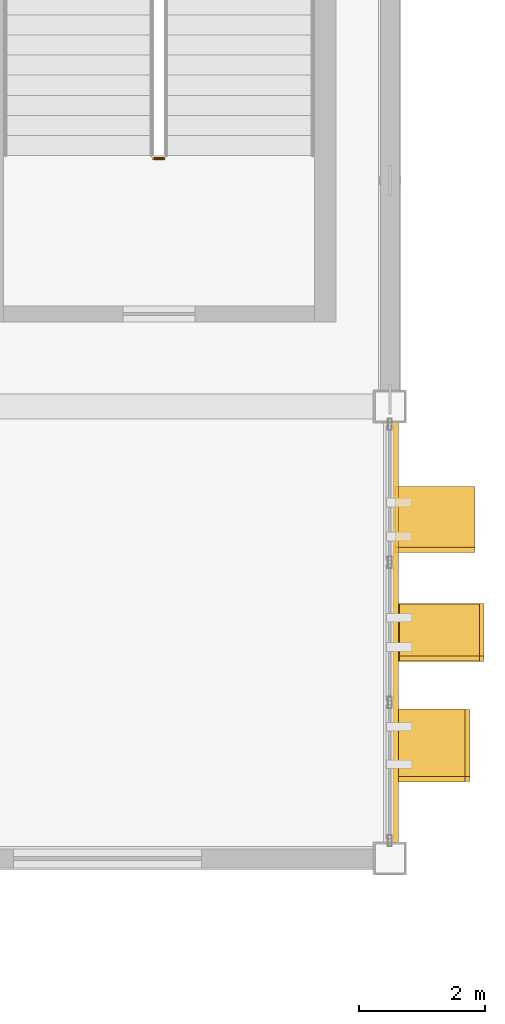
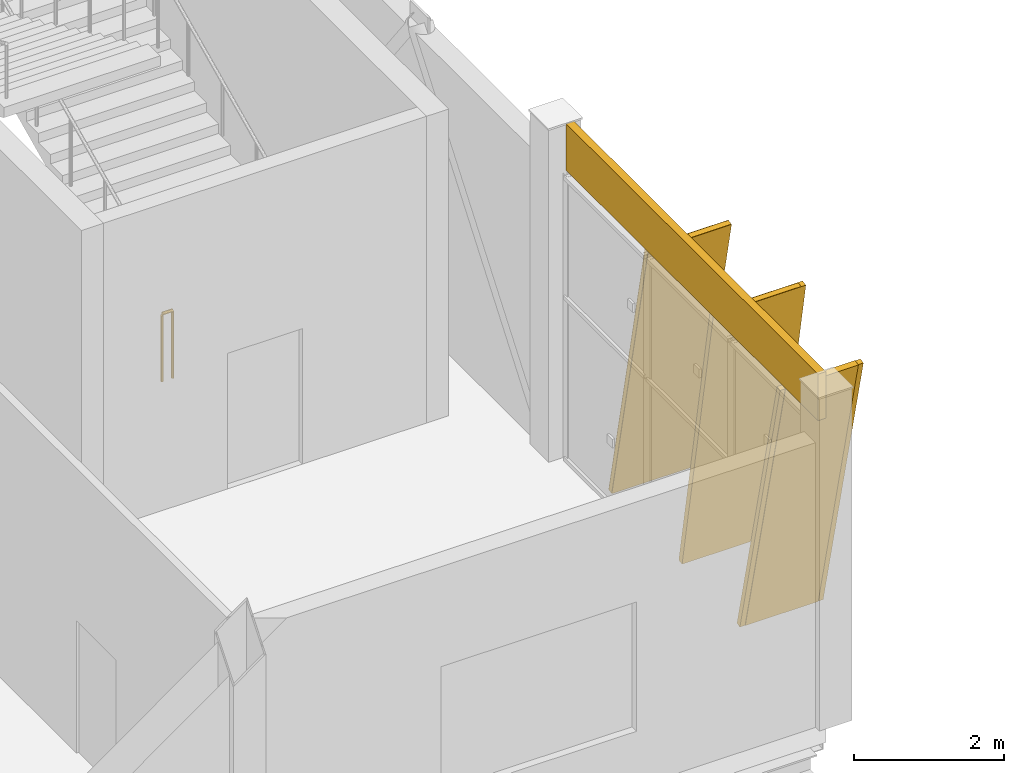
# One storey, part 176 of 189: 4 coverings, 3 shading devices, 1 railing.
"""IFC4 building model written with IfcOpenShell, lengths in metres."""

import ifcopenshell
import ifcopenshell.guid

model = None  # the IFC model being written
_history = None  # IfcOwnerHistory: only IFC2X3 demands one
_inside = {}  # id of a spatial element -> (the spatial element, [elements in it])
_under = {}  # id of a project, library or spatial element -> (it, [spatial elements below it])
_declared = {}  # id of a project -> (the project, [libraries it declares])
_typed = {}  # id of a type object -> (the type object, [elements of that type])
_made_of = {}  # id of a material, layer set ... -> (it, [elements and type objects made of it])


def new_model(schema):
    """Start an empty IFC model of exactly this schema.

    Asked for "IFC4X3", IfcOpenShell would pick the latest addendum, in which some entities
    have other attributes; the version numbers below select the first issue.
    IFC2X3 requires an IfcOwnerHistory on every rooted entity: one is made here for all.
    """
    global model, _history
    if schema == "IFC4X3":
        model = ifcopenshell.file(schema_version=(4, 3, 0, 0))
    else:
        model = ifcopenshell.file(schema=schema)
    _inside.clear()
    _under.clear()
    _declared.clear()
    _typed.clear()
    _made_of.clear()
    _history = None
    if model.schema == "IFC2X3":
        org = make("IfcOrganization", Name="unknown")
        user = make(
            "IfcPersonAndOrganization",
            ThePerson=make("IfcPerson", FamilyName="unknown"),
            TheOrganization=org,
        )
        app = make(
            "IfcApplication",
            ApplicationDeveloper=org,
            Version="unknown",
            ApplicationFullName="unknown",
            ApplicationIdentifier="unknown",
        )
        _history = make(
            "IfcOwnerHistory",
            OwningUser=user,
            OwningApplication=app,
            ChangeAction="ADDED",
            CreationDate=0,
        )
    return model


def make(cls, **values):
    """One entity of the class cls with the attributes given. An attribute that is None is left unset."""
    return model.create_entity(
        cls, **{name: value for name, value in values.items() if value is not None}
    )


def rooted(cls, **values):
    """An entity with a GlobalId (a new one), such as an element, a storey or a relation."""
    return make(cls, GlobalId=ifcopenshell.guid.new(), OwnerHistory=_history, **values)


def si_unit(unit_type, name, prefix=None):
    """IfcSIUnit, for example si_unit("LENGTHUNIT", "METRE", prefix="MILLI")."""
    return make("IfcSIUnit", UnitType=unit_type, Prefix=prefix, Name=name)


def assignment(units):
    """IfcUnitAssignment: the units of a project."""
    return None if units is None else make("IfcUnitAssignment", Units=units)


def point(xyz):
    """IfcCartesianPoint."""
    return None if xyz is None else make("IfcCartesianPoint", Coordinates=xyz)


def direction(xyz):
    """IfcDirection."""
    return None if xyz is None else make("IfcDirection", DirectionRatios=xyz)


def frame(location, z_axis=None, x_axis=None):
    """IfcAxis2Placement3D, a coordinate frame: its origin and axes. An axis left out is left unset."""
    return make(
        "IfcAxis2Placement3D",
        Location=point(location),
        Axis=direction(z_axis),
        RefDirection=direction(x_axis),
    )


def frame_2d(location, x_axis=None):
    """IfcAxis2Placement2D, a coordinate frame in the plane: its origin and x axis."""
    return make(
        "IfcAxis2Placement2D", Location=point(location), RefDirection=direction(x_axis)
    )


def origin():
    """The frame at (0, 0, 0) with its axes left unset."""
    return frame((0.0, 0.0, 0.0))


def origin_2d():
    """The frame at (0, 0) in the plane with its x axis left unset."""
    return frame_2d((0.0, 0.0))


def place(relative_to, where):
    """IfcLocalPlacement: puts the frame where relative to a parent placement (None: the world)."""
    return make(
        "IfcLocalPlacement", PlacementRelTo=relative_to, RelativePlacement=where
    )


def context(
    kind, dimensions, precision=None, world=None, true_north=None, identifier=None
):
    """IfcGeometricRepresentationContext, for example the 3D "Model" context."""
    return make(
        "IfcGeometricRepresentationContext",
        ContextIdentifier=identifier,
        ContextType=kind,
        CoordinateSpaceDimension=dimensions,
        Precision=precision,
        WorldCoordinateSystem=world,
        TrueNorth=true_north,
    )


def subcontext(parent, identifier, kind, view, scale=None):
    """IfcGeometricRepresentationSubContext, for example "Body" below "Model"."""
    return make(
        "IfcGeometricRepresentationSubContext",
        ContextIdentifier=identifier,
        ContextType=kind,
        ParentContext=parent,
        TargetScale=scale,
        TargetView=view,
    )


def project(units=None, contexts=None):
    """IfcProject with its units and contexts."""
    return rooted(
        "IfcProject",
        Name="project",
        RepresentationContexts=contexts,
        UnitsInContext=assignment(units),
    )


def spatial(cls, under=None, at=None, **own):
    """A site, building, storey or space (cls), placed at a placement, below another one or the project."""
    s = rooted(cls, ObjectPlacement=at, **own)
    if under is not None:
        _under.setdefault(under.id(), (under, []))[1].append(s)
    return s


def profile(cls, at=None, kind="AREA", **sizes):
    """A parametric profile (cls). Its sizes go by their IFC names, for example OverallWidth=200.0."""
    return make(cls, ProfileType=kind, Position=at, **sizes)


def rectangle(**sizes):
    """IfcRectangleProfileDef."""
    return profile("IfcRectangleProfileDef", **sizes)


def circle(**sizes):
    """IfcCircleProfileDef."""
    return profile("IfcCircleProfileDef", **sizes)


def extrude(swept, where, along, depth):
    """IfcExtrudedAreaSolid: the profile swept, set in the frame where, extruded along a direction by depth."""
    return make(
        "IfcExtrudedAreaSolid",
        SweptArea=swept,
        Position=where,
        ExtrudedDirection=direction(along),
        Depth=depth,
    )


def shape(context_of_items, identifier, shape_type, items):
    """IfcShapeRepresentation: the items that make up one representation, for example the "Body"."""
    return make(
        "IfcShapeRepresentation",
        ContextOfItems=context_of_items,
        RepresentationIdentifier=identifier,
        RepresentationType=shape_type,
        Items=items,
    )


def material(Name=None, Category=None):
    """IfcMaterial."""
    return make("IfcMaterial", Name=Name, Category=Category)


def layer(
    of_material, thickness, ventilated=None, Name=None, Category=None, Priority=None
):
    """IfcMaterialLayer: one layer of a wall or slab, of a material (None: an air gap)."""
    return make(
        "IfcMaterialLayer",
        Material=of_material,
        LayerThickness=thickness,
        IsVentilated=ventilated,
        Name=Name,
        Category=Category,
        Priority=Priority,
    )


def layer_set(layers, Name=None):
    """IfcMaterialLayerSet."""
    return make("IfcMaterialLayerSet", MaterialLayers=layers, LayerSetName=Name)


def material_profile(
    of_material, cross_section, Name=None, Category=None, Priority=None
):
    """IfcMaterialProfile: a cross section and its material."""
    return make(
        "IfcMaterialProfile",
        Name=Name,
        Material=of_material,
        Profile=cross_section,
        Priority=Priority,
        Category=Category,
    )


def profile_set(profiles, Name=None, composite=None):
    """IfcMaterialProfileSet."""
    return make(
        "IfcMaterialProfileSet",
        Name=Name,
        MaterialProfiles=profiles,
        CompositeProfile=composite,
    )


def made_of(thing, what):
    """Note that an element or type object is made of a material, layer set ...; save() writes the relation."""
    if what is not None:
        _made_of.setdefault(what.id(), (what, []))[1].append(thing)
    return thing


def type_object(cls, material=None, **own):
    """A type object (cls), such as IfcWallType, which elements share."""
    return made_of(rooted(cls, **own), material)


def element(
    cls,
    number,
    at=None,
    inside=None,
    cuts=None,
    type_object=None,
    material=None,
    context=None,
    identifier="Body",
    shape_type=None,
    held_by="IfcProductDefinitionShape",
    body=None,
    shapes=None,
    **own,
):
    """One element of the class cls, such as IfcWall. Its Tag is "e" and its number.

    at: its placement. inside: the storey or other place that contains it. cuts: it is an
    opening in that element (IfcRelVoidsElement). A single representation is given by context,
    identifier, shape_type and body (its items); several are given by shapes. held_by: the class
    of the entity that holds the representations. save() writes the other relations.
    """
    e = rooted(cls, Tag="e%d" % number, ObjectPlacement=at, **own)
    if body is not None:
        shapes = [shape(context, identifier, shape_type, body)]
    if shapes is not None:
        e.Representation = make(held_by, Representations=shapes)
    if inside is not None:
        _inside.setdefault(inside.id(), (inside, []))[1].append(e)
    if cuts is not None:
        rooted(
            "IfcRelVoidsElement", RelatingBuildingElement=cuts, RelatedOpeningElement=e
        )
    if type_object is not None:
        _typed.setdefault(type_object.id(), (type_object, []))[1].append(e)
    return made_of(e, material)


def aggregate(whole, parts):
    """IfcRelAggregates: a whole, such as a stair, and the parts it consists of."""
    return rooted("IfcRelAggregates", RelatingObject=whole, RelatedObjects=parts)


def save(model, path):
    """Write the relations noted so far, then the file.

    IfcRelAggregates (storeys below a building ...), IfcRelContainedInSpatialStructure (elements
    in a storey), IfcRelDefinesByType, IfcRelAssociatesMaterial and IfcRelDeclares: one each for
    every whole, place, type object, material and project.
    """
    for whole, parts in _under.values():
        aggregate(whole, parts)
    for where, things in _inside.values():
        rooted(
            "IfcRelContainedInSpatialStructure",
            RelatedElements=things,
            RelatingStructure=where,
        )
    for kind, things in _typed.values():
        rooted("IfcRelDefinesByType", RelatedObjects=things, RelatingType=kind)
    for what, things in _made_of.values():
        rooted("IfcRelAssociatesMaterial", RelatedObjects=things, RelatingMaterial=what)
    for by, libraries in _declared.values():
        rooted("IfcRelDeclares", RelatingContext=by, RelatedDefinitions=libraries)
    model.write(path)


model = new_model("IFC4")

# Units and contexts
model_context = context("Model", 3, precision=1e-05, world=origin(), true_north=direction((0.0, 1.0)))
body_context = subcontext(model_context, "Body", "Model", "MODEL_VIEW")
ifc_project = project(units=[si_unit("LENGTHUNIT", "METRE"), si_unit("AREAUNIT", "SQUARE_METRE"), si_unit("VOLUMEUNIT", "CUBIC_METRE"), si_unit("PLANEANGLEUNIT", "RADIAN"), si_unit("MASSUNIT", "GRAM", prefix="KILO")], contexts=[model_context])

# Site, building, storey
site_placement = place(None, origin())
site = spatial("IfcSite", under=ifc_project, at=site_placement, CompositionType="ELEMENT")
building_placement = place(site_placement, origin())
building = spatial("IfcBuilding", under=site, at=building_placement, Name="Celestram Park Convention Centre", CompositionType="ELEMENT")
storey_placement = place(building_placement, frame((0.0, 0.0, 5.39990234375)))
storey = spatial("IfcBuildingStorey", under=building, at=storey_placement, Name="L01", CompositionType="ELEMENT", Elevation=5.39990234375)

# Coverings
ifc_material_1 = material(Name="Anodised Bronze Aluminium Spandrel Cladding", Category="aluminium")
ifc_layer_1 = layer(ifc_material_1, 0.050048828125)
ifc_layer_set_1 = layer_set([ifc_layer_1], Name="Anodised Bronze Aluminium Spandrel Cladding")
covering_type_1 = type_object("IfcCoveringType", Name="ARC-COV-CLD060", PredefinedType="CLADDING", material=ifc_layer_set_1)
covering_1_placement = place(storey_placement, frame((216.080078125, 118.800048828125, 4.64404296875), z_axis=(0.0, 0.0, 1.0), x_axis=(0.0, -1.0, 0.0)))
element("IfcCovering", 1, at=covering_1_placement, inside=storey, type_object=covering_type_1, Name="Bronze spandrel cladding CL-L01-080", PredefinedType="CLADDING", context=body_context, shape_type="SweptSolid", body=[
    extrude(rectangle(XDim=6.7041015625, YDim=0.1201171875, at=origin_2d()), origin(), (0.0, 0.0, 1.0), 0.756103515625),
])
ifc_material_2 = material(Name="Timber-Toned Anodised Aluminium Alloy 6063-T6", Category="wood")
ifc_material_profile_1 = material_profile(ifc_material_2, rectangle(XDim=1.1201171875, YDim=0.090087890625, at=origin_2d()), Name="REED1120X90")
ifc_profile_set_1 = profile_set([ifc_material_profile_1], Name="Timber-Toned Anodised Aluminium Alloy 6063-T6")
covering_type_2 = type_object("IfcCoveringType", Name="ARC-COV-FIN1120", PredefinedType="CLADDING", material=ifc_profile_set_1)
covering_2_placement = place(storey_placement, frame((216.639892578125, 117.53466796875, 0.06787109375), z_axis=(0.0, -0.231751668114, 0.972774981343), x_axis=(1.0, 0.0, 0.0)))
element("IfcCovering", 2, at=covering_2_placement, inside=storey, type_object=covering_type_2, Name="Leaning timber-toned reed fin RFN-L01-0237", PredefinedType="CLADDING", context=body_context, shape_type="SweptSolid", body=[
    extrude(rectangle(XDim=1.1201171875, YDim=0.090087890625, at=origin_2d()), origin(), (0.0, 0.0, 1.0), 4.6142578125),
])
ifc_material_profile_2 = material_profile(ifc_material_2, rectangle(XDim=1.280029296875, YDim=0.090087890625, at=origin_2d()), Name="REED1280X90")
ifc_profile_set_2 = profile_set([ifc_material_profile_2], Name="Timber-Toned Anodised Aluminium Alloy 6063-T6")
covering_type_3 = type_object("IfcCoveringType", Name="ARC-COV-FIN1280", PredefinedType="CLADDING", material=ifc_profile_set_2)
covering_3_placement = place(storey_placement, frame((216.719970703125, 121.08349609375, 0.056396484375), z_axis=(0.0, -0.209590519643, 0.977789248292), x_axis=(1.0, 0.0, 0.0)))
element("IfcCovering", 3, at=covering_3_placement, inside=storey, type_object=covering_type_3, Name="Leaning timber-toned reed fin RFN-L01-0235", PredefinedType="CLADDING", context=body_context, shape_type="SweptSolid", body=[
    extrude(rectangle(XDim=1.280029296875, YDim=0.090087890625, at=origin_2d()), origin(), (0.0, 0.0, 1.0), 4.614013671875),
])
ifc_material_profile_3 = material_profile(ifc_material_2, rectangle(XDim=1.419921875, YDim=0.090087890625, at=origin_2d()), Name="REED1420X90")
ifc_profile_set_3 = profile_set([ifc_material_profile_3], Name="Timber-Toned Anodised Aluminium Alloy 6063-T6")
covering_type_4 = type_object("IfcCoveringType", Name="ARC-COV-FIN1420", PredefinedType="CLADDING", material=ifc_profile_set_3)
covering_4_placement = place(storey_placement, frame((216.7900390625, 119.216552734375, 0.04296875), z_axis=(0.0, -0.180533481126, 0.98356883958), x_axis=(1.0, 0.0, 0.0)))
element("IfcCovering", 4, at=covering_4_placement, inside=storey, type_object=covering_type_4, Name="Leaning timber-toned reed fin RFN-L01-0236", PredefinedType="CLADDING", context=body_context, shape_type="SweptSolid", body=[
    extrude(rectangle(XDim=1.419921875, YDim=0.090087890625, at=origin_2d()), origin(), (0.0, 0.0, 1.0), 4.6142578125),
])

# Shading devices
ifc_material_3 = material(Name="Anodised Bronze Aluminium Alloy 6063-T6", Category="aluminium")
ifc_material_profile_4 = material_profile(ifc_material_3, rectangle(XDim=1.280029296875, YDim=0.080078125, at=origin_2d()), Name="FIN1280X80")
ifc_profile_set_4 = profile_set([ifc_material_profile_4], Name="Anodised Bronze Aluminium Alloy 6063-T6")
shading_device_type = type_object("IfcShadingDeviceType", Name="ARC-FIN-BZ1280", PredefinedType="USERDEFINED", material=ifc_profile_set_4)
shading_device_placement = place(storey_placement, frame((216.719970703125, 121.08349609375, 0.056396484375), z_axis=(0.0, -0.209590519643, 0.977789248292), x_axis=(1.0, 0.0, 0.0)))
element("IfcShadingDevice", 5, at=shading_device_placement, inside=storey, type_object=shading_device_type, Name="Expressive solar fin FN-L01-0235", ObjectType="SOLAR_FIN", PredefinedType="USERDEFINED", context=body_context, shape_type="SweptSolid", body=[
    extrude(rectangle(XDim=1.280029296875, YDim=0.080078125, at=origin_2d()), origin(), (0.0, 0.0, 1.0), 4.614013671875),
])
for number, where, z_axis, x_axis, name in (
    (6, (216.7900390625, 119.216552734375, 0.04296875), (0.0, -0.180533481126, 0.98356883958), (1.0, 0.0, 0.0), "Expressive solar fin FN-L01-0236"),
    (7, (216.639892578125, 117.53466796875, 0.06787109375), (0.0, -0.231751668114, 0.972774981343), (1.0, 0.0, 0.0), "Expressive solar fin FN-L01-0237"),
):
    element("IfcShadingDevice", number, at=place(storey_placement, frame(where, z_axis=z_axis, x_axis=x_axis)), inside=storey, type_object=shading_device_type, Name=name, ObjectType="SOLAR_FIN", PredefinedType="USERDEFINED", context=body_context, shape_type="SweptSolid", body=[
        extrude(rectangle(XDim=1.280029296875, YDim=0.080078125, at=origin_2d()), origin(), (0.0, 0.0, 1.0), 4.6142578125),
    ])

# Railing
ifc_material_4 = material(Name="Stainless Steel AISI 316L & Laminated Glass", Category="steel")
ifc_layer_2 = layer(ifc_material_4, 0.06005859375)
ifc_layer_set_2 = layer_set([ifc_layer_2], Name="Stainless Steel AISI 316L & Laminated Glass")
railing_type = type_object("IfcRailingType", Name="ARC-RL-GRD1120", PredefinedType="GUARDRAIL", material=ifc_layer_set_2)
railing_placement = place(storey_placement, frame((212.39990234375, 126.35009765625, 0.0)))
element("IfcRailing", 8, at=railing_placement, inside=storey, type_object=railing_type, Name="L01 ST-08 stair guard 4", PredefinedType="GUARDRAIL", context=body_context, shape_type="SweptSolid", body=[
    extrude(circle(Radius=0.02392578125, at=origin_2d()), frame((0.0, 0.0, 1.09619140625), z_axis=(-1.0, 0.0, 0.0), x_axis=(0.0, -1.0, 0.0)), (0.0, 0.0, 1.0), 0.159912109375),
    extrude(circle(Radius=0.02099609375, at=origin_2d()), origin(), (0.0, 0.0, 1.0), 1.072021484375),
    extrude(circle(Radius=0.02099609375, at=origin_2d()), frame((-0.159912109375, 0.0, 0.0)), (0.0, 0.0, 1.0), 1.072021484375),
])

save(model, "model.ifc")
